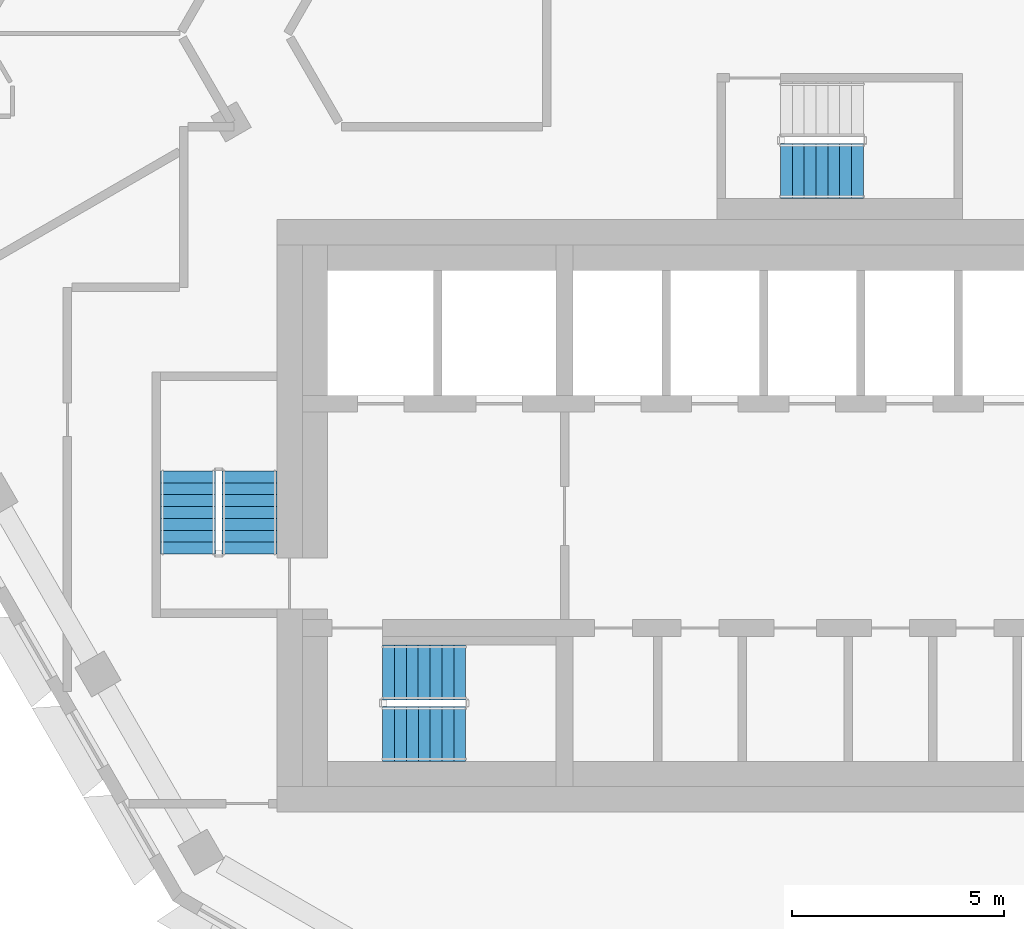
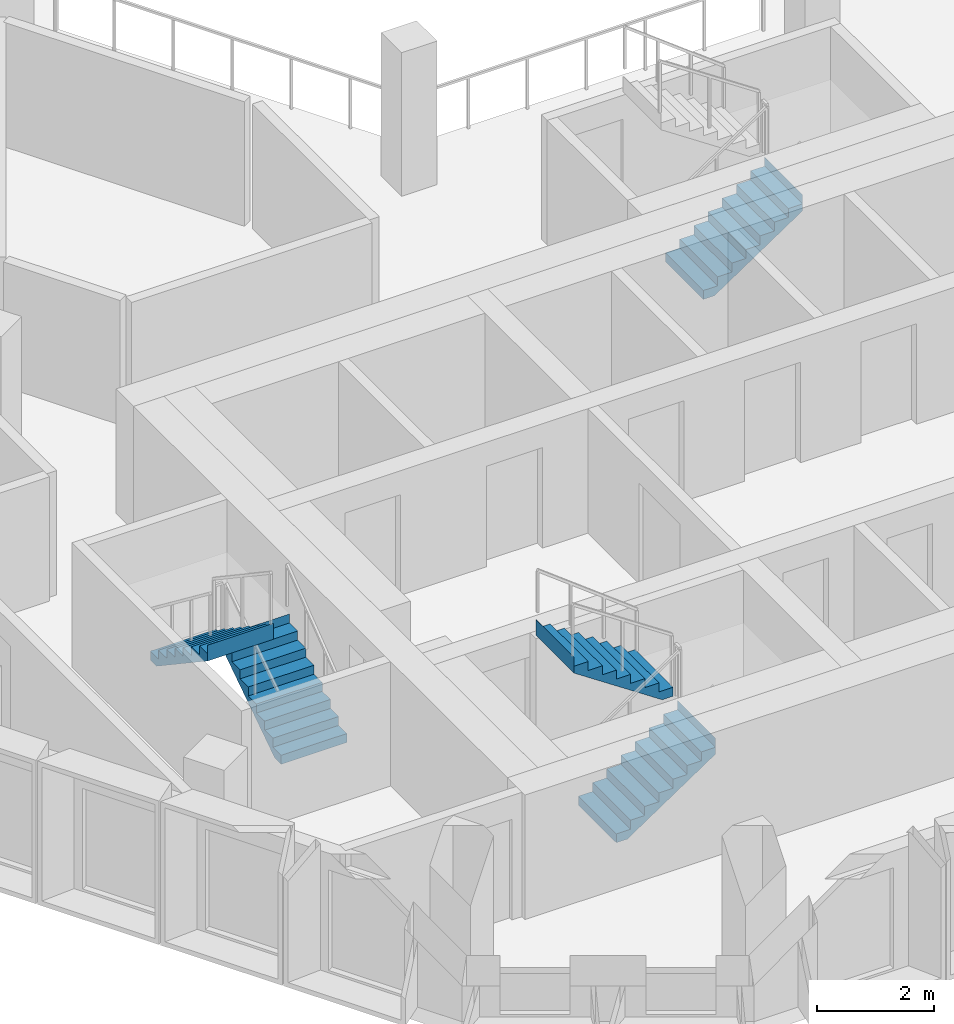
# One storey, part 12 of 18: 5 stair flights, 3 elements without a shape of their own.
"""IFC4 building model written with IfcOpenShell, lengths in metres."""

from ifc_helpers import new_model, si_unit, direction, frame, origin, place, context, subcontext, project, spatial, triangles, material, type_object, element, aggregate, save


model = new_model("IFC4")

# Units and contexts
model_context = context("Model", 3, precision=1e-05, world=origin(), true_north=direction((0.0, 1.0)))
body_context = subcontext(model_context, "Body", "Model", "MODEL_VIEW")
ifc_project = project(units=[si_unit("LENGTHUNIT", "METRE"), si_unit("AREAUNIT", "SQUARE_METRE"), si_unit("VOLUMEUNIT", "CUBIC_METRE"), si_unit("PLANEANGLEUNIT", "RADIAN"), si_unit("MASSUNIT", "GRAM", prefix="KILO")], contexts=[model_context])

# Site, building, storey
site_placement = place(None, origin())
site = spatial("IfcSite", under=ifc_project, at=site_placement, CompositionType="ELEMENT")
building_placement = place(site_placement, origin())
building = spatial("IfcBuilding", under=site, at=building_placement, Name="Beryl Residences", CompositionType="ELEMENT")
storey_placement = place(building_placement, frame((0.0, 0.0, 196.199951171875)))
storey = spatial("IfcBuildingStorey", under=building, at=storey_placement, Name="L60", CompositionType="ELEMENT", Elevation=196.199951171875)

# Stair, stair flights
ifc_material_1 = material(Name="Concrete C40/50", Category="concrete")
stair_type = type_object("IfcStairType", Name="ST1 protected exit stair, half-turn, 1300 mm flights", PredefinedType="HALF_TURN_STAIR", material=ifc_material_1)
stair_1_placement = place(storey_placement, origin())
stair_1 = element("IfcStair", 1, at=stair_1_placement, inside=storey, type_object=stair_type, Name="L60 PROTECTED EXIT STAIR ST-1", PredefinedType="HALF_TURN_STAIR")
ifc_material_2 = material(Name="Concrete C40/50", Category="concrete")
stair_flight_type = type_object("IfcStairFlightType", Name="SF1 stair flight 1300 mm", PredefinedType="STRAIGHT", material=ifc_material_2)
stair_flight_1_placement = place(storey_placement, frame((-10.800048828125, -17.14990234375, 0.0), z_axis=(0.0, 0.0, 1.0), x_axis=(1.0, 0.0, 0.0)))
stair_flight_1 = element("IfcStairFlight", 2, at=stair_flight_1_placement, type_object=stair_flight_type, Name="ST-1 flight 1", NumberOfRisers=8, NumberOfTreads=7, PredefinedType="STRAIGHT", RiserHeight=0.1875, TreadLength=0.28, context=body_context, shape_type="Tessellation", body=[
    triangles([(0.0, -0.64990234375, 0.0), (0.0, -0.324951171875, 0.0), (0.0, 0.0, 0.0), (0.0, 0.324951171875, 0.0), (0.0, 0.64990234375, 0.0), (0.0, -0.64990234375, 0.1875), (0.0, -0.324951171875, 0.1875), (0.0, 0.0, 0.1875), (0.0, 0.324951171875, 0.1875), (0.0, 0.64990234375, 0.1875), (0.280029296875, -0.64990234375, 0.1875), (0.280029296875, -0.324951171875, 0.1875), (0.280029296875, 0.0, 0.1875), (0.280029296875, 0.324951171875, 0.1875), (0.280029296875, 0.64990234375, 0.1875), (0.280029296875, -0.64990234375, 0.375), (0.280029296875, -0.324951171875, 0.375), (0.280029296875, 0.0, 0.375), (0.280029296875, 0.324951171875, 0.375), (0.280029296875, 0.64990234375, 0.375), (0.56005859375, -0.64990234375, 0.375), (0.56005859375, -0.324951171875, 0.375), (0.56005859375, 0.0, 0.375), (0.56005859375, 0.324951171875, 0.375), (0.56005859375, 0.64990234375, 0.375), (0.56005859375, -0.64990234375, 0.5625), (0.56005859375, -0.324951171875, 0.5625), (0.56005859375, 0.0, 0.5625), (0.56005859375, 0.324951171875, 0.5625), (0.56005859375, 0.64990234375, 0.5625), (0.840087890625, -0.64990234375, 0.5625), (0.840087890625, -0.324951171875, 0.5625), (0.840087890625, 0.0, 0.5625), (0.840087890625, 0.324951171875, 0.5625), (0.840087890625, 0.64990234375, 0.5625), (0.840087890625, -0.64990234375, 0.75), (0.840087890625, -0.324951171875, 0.75), (0.840087890625, 0.0, 0.75), (0.840087890625, 0.324951171875, 0.75), (0.840087890625, 0.64990234375, 0.75), (1.1201171875, -0.64990234375, 0.75), (1.1201171875, -0.324951171875, 0.75), (1.1201171875, 0.0, 0.75), (1.1201171875, 0.324951171875, 0.75), (1.1201171875, 0.64990234375, 0.75), (1.1201171875, -0.64990234375, 0.9375), (1.1201171875, -0.324951171875, 0.9375), (1.1201171875, 0.0, 0.9375), (1.1201171875, 0.324951171875, 0.9375), (1.1201171875, 0.64990234375, 0.9375), (1.39990234375, -0.64990234375, 0.9375), (1.39990234375, -0.324951171875, 0.9375), (1.39990234375, 0.0, 0.9375), (1.39990234375, 0.324951171875, 0.9375), (1.39990234375, 0.64990234375, 0.9375), (1.39990234375, -0.64990234375, 1.125), (1.39990234375, -0.324951171875, 1.125), (1.39990234375, 0.0, 1.125), (1.39990234375, 0.324951171875, 1.125), (1.39990234375, 0.64990234375, 1.125), (1.679931640625, -0.64990234375, 1.125), (1.679931640625, -0.324951171875, 1.125), (1.679931640625, 0.0, 1.125), (1.679931640625, 0.324951171875, 1.125), (1.679931640625, 0.64990234375, 1.125), (1.679931640625, -0.64990234375, 1.3125), (1.679931640625, -0.324951171875, 1.3125), (1.679931640625, 0.0, 1.3125), (1.679931640625, 0.324951171875, 1.3125), (1.679931640625, 0.64990234375, 1.3125), (1.9599609375, -0.64990234375, 1.3125), (1.9599609375, -0.324951171875, 1.3125), (1.9599609375, 0.0, 1.3125), (1.9599609375, 0.324951171875, 1.3125), (1.9599609375, 0.64990234375, 1.3125), (1.9599609375, -0.64990234375, 1.5), (1.9599609375, -0.324951171875, 1.5), (1.9599609375, 0.0, 1.5), (1.9599609375, 0.324951171875, 1.5), (1.9599609375, 0.64990234375, 1.5), (1.9609375, -0.64990234375, 1.5), (1.9609375, -0.324951171875, 1.5), (1.9609375, 0.0, 1.5), (1.9609375, 0.324951171875, 1.5), (1.9609375, 0.64990234375, 1.5), (1.9609375, -0.64990234375, 1.16796875), (1.9609375, -0.324951171875, 1.16796875), (1.9609375, 0.0, 1.16796875), (1.9609375, 0.324951171875, 1.16796875), (1.9609375, 0.64990234375, 1.16796875), (0.216796875, -0.64990234375, 0.0), (0.216796875, -0.324951171875, 0.0), (0.216796875, 0.0, 0.0), (0.216796875, 0.324951171875, 0.0), (0.216796875, 0.64990234375, 0.0)], [[1, 6, 7], [1, 7, 2], [2, 7, 8], [2, 8, 3], [3, 8, 9], [3, 9, 4], [4, 9, 10], [4, 10, 5], [6, 11, 12], [6, 12, 7], [7, 12, 13], [7, 13, 8], [8, 13, 14], [8, 14, 9], [9, 14, 15], [9, 15, 10], [11, 16, 17], [11, 17, 12], [12, 17, 18], [12, 18, 13], [13, 18, 19], [13, 19, 14], [14, 19, 20], [14, 20, 15], [16, 21, 22], [16, 22, 17], [17, 22, 23], [17, 23, 18], [18, 23, 24], [18, 24, 19], [19, 24, 25], [19, 25, 20], [21, 26, 27], [21, 27, 22], [22, 27, 28], [22, 28, 23], [23, 28, 29], [23, 29, 24], [24, 29, 30], [24, 30, 25], [26, 31, 32], [26, 32, 27], [27, 32, 33], [27, 33, 28], [28, 33, 34], [28, 34, 29], [29, 34, 35], [29, 35, 30], [31, 36, 37], [31, 37, 32], [32, 37, 38], [32, 38, 33], [33, 38, 39], [33, 39, 34], [34, 39, 40], [34, 40, 35], [36, 41, 42], [36, 42, 37], [37, 42, 43], [37, 43, 38], [38, 43, 44], [38, 44, 39], [39, 44, 45], [39, 45, 40], [41, 46, 47], [41, 47, 42], [42, 47, 48], [42, 48, 43], [43, 48, 49], [43, 49, 44], [44, 49, 50], [44, 50, 45], [46, 51, 52], [46, 52, 47], [47, 52, 53], [47, 53, 48], [48, 53, 54], [48, 54, 49], [49, 54, 55], [49, 55, 50], [51, 56, 57], [51, 57, 52], [52, 57, 58], [52, 58, 53], [53, 58, 59], [53, 59, 54], [54, 59, 60], [54, 60, 55], [56, 61, 62], [56, 62, 57], [57, 62, 63], [57, 63, 58], [58, 63, 64], [58, 64, 59], [59, 64, 65], [59, 65, 60], [61, 66, 67], [61, 67, 62], [62, 67, 68], [62, 68, 63], [63, 68, 69], [63, 69, 64], [64, 69, 70], [64, 70, 65], [66, 71, 72], [66, 72, 67], [67, 72, 73], [67, 73, 68], [68, 73, 74], [68, 74, 69], [69, 74, 75], [69, 75, 70], [71, 76, 77], [71, 77, 72], [72, 77, 78], [72, 78, 73], [73, 78, 79], [73, 79, 74], [74, 79, 80], [74, 80, 75], [76, 81, 82], [76, 82, 77], [77, 82, 83], [77, 83, 78], [78, 83, 84], [78, 84, 79], [79, 84, 85], [79, 85, 80], [81, 86, 87], [81, 87, 82], [82, 87, 88], [82, 88, 83], [83, 88, 89], [83, 89, 84], [84, 89, 90], [84, 90, 85], [86, 91, 92], [86, 92, 87], [87, 92, 93], [87, 93, 88], [88, 93, 94], [88, 94, 89], [89, 94, 95], [89, 95, 90], [91, 1, 2], [91, 2, 92], [92, 2, 3], [92, 3, 93], [93, 3, 4], [93, 4, 94], [94, 4, 5], [94, 5, 95], [1, 91, 86], [5, 90, 95], [86, 81, 76], [90, 80, 85], [86, 76, 71], [90, 75, 80], [86, 71, 66], [90, 70, 75], [86, 66, 61], [90, 65, 70], [61, 56, 51], [65, 55, 60], [86, 61, 51], [90, 55, 65], [51, 46, 41], [55, 45, 50], [86, 51, 41], [90, 45, 55], [41, 36, 31], [45, 35, 40], [86, 41, 31], [90, 35, 45], [31, 26, 21], [35, 25, 30], [86, 31, 21], [90, 25, 35], [21, 16, 11], [25, 15, 20], [86, 21, 11], [90, 15, 25], [1, 86, 11], [5, 15, 90], [11, 6, 1], [15, 5, 10]], closed=True),
])
stair_flight_2_placement = place(storey_placement, frame((-8.840087890625, -15.699951171875, 1.5), z_axis=(0.0, 0.0, 1.0), x_axis=(-1.0, 0.0, 0.0)))
stair_flight_2 = element("IfcStairFlight", 3, at=stair_flight_2_placement, type_object=stair_flight_type, Name="ST-1 flight 2", NumberOfRisers=8, NumberOfTreads=7, PredefinedType="STRAIGHT", RiserHeight=0.1875, TreadLength=0.28, context=body_context, shape_type="Tessellation", body=[
    triangles([(0.0, -0.64990234375, 0.0), (0.0, -0.324951171875, 0.0), (0.0, 0.0, 0.0), (0.0, 0.324951171875, 0.0), (0.0, 0.64990234375, 0.0), (0.0, -0.64990234375, 0.1875), (0.0, -0.324951171875, 0.1875), (0.0, 0.0, 0.1875), (0.0, 0.324951171875, 0.1875), (0.0, 0.64990234375, 0.1875), (0.280029296875, -0.64990234375, 0.1875), (0.280029296875, -0.324951171875, 0.1875), (0.280029296875, 0.0, 0.1875), (0.280029296875, 0.324951171875, 0.1875), (0.280029296875, 0.64990234375, 0.1875), (0.280029296875, -0.64990234375, 0.375), (0.280029296875, -0.324951171875, 0.375), (0.280029296875, 0.0, 0.375), (0.280029296875, 0.324951171875, 0.375), (0.280029296875, 0.64990234375, 0.375), (0.56005859375, -0.64990234375, 0.375), (0.56005859375, -0.324951171875, 0.375), (0.56005859375, 0.0, 0.375), (0.56005859375, 0.324951171875, 0.375), (0.56005859375, 0.64990234375, 0.375), (0.56005859375, -0.64990234375, 0.5625), (0.56005859375, -0.324951171875, 0.5625), (0.56005859375, 0.0, 0.5625), (0.56005859375, 0.324951171875, 0.5625), (0.56005859375, 0.64990234375, 0.5625), (0.840087890625, -0.64990234375, 0.5625), (0.840087890625, -0.324951171875, 0.5625), (0.840087890625, 0.0, 0.5625), (0.840087890625, 0.324951171875, 0.5625), (0.840087890625, 0.64990234375, 0.5625), (0.840087890625, -0.64990234375, 0.75), (0.840087890625, -0.324951171875, 0.75), (0.840087890625, 0.0, 0.75), (0.840087890625, 0.324951171875, 0.75), (0.840087890625, 0.64990234375, 0.75), (1.1201171875, -0.64990234375, 0.75), (1.1201171875, -0.324951171875, 0.75), (1.1201171875, 0.0, 0.75), (1.1201171875, 0.324951171875, 0.75), (1.1201171875, 0.64990234375, 0.75), (1.1201171875, -0.64990234375, 0.9375), (1.1201171875, -0.324951171875, 0.9375), (1.1201171875, 0.0, 0.9375), (1.1201171875, 0.324951171875, 0.9375), (1.1201171875, 0.64990234375, 0.9375), (1.39990234375, -0.64990234375, 0.9375), (1.39990234375, -0.324951171875, 0.9375), (1.39990234375, 0.0, 0.9375), (1.39990234375, 0.324951171875, 0.9375), (1.39990234375, 0.64990234375, 0.9375), (1.39990234375, -0.64990234375, 1.125), (1.39990234375, -0.324951171875, 1.125), (1.39990234375, 0.0, 1.125), (1.39990234375, 0.324951171875, 1.125), (1.39990234375, 0.64990234375, 1.125), (1.679931640625, -0.64990234375, 1.125), (1.679931640625, -0.324951171875, 1.125), (1.679931640625, 0.0, 1.125), (1.679931640625, 0.324951171875, 1.125), (1.679931640625, 0.64990234375, 1.125), (1.679931640625, -0.64990234375, 1.3125), (1.679931640625, -0.324951171875, 1.3125), (1.679931640625, 0.0, 1.3125), (1.679931640625, 0.324951171875, 1.3125), (1.679931640625, 0.64990234375, 1.3125), (1.9599609375, -0.64990234375, 1.3125), (1.9599609375, -0.324951171875, 1.3125), (1.9599609375, 0.0, 1.3125), (1.9599609375, 0.324951171875, 1.3125), (1.9599609375, 0.64990234375, 1.3125), (1.9599609375, -0.64990234375, 1.5), (1.9599609375, -0.324951171875, 1.5), (1.9599609375, 0.0, 1.5), (1.9599609375, 0.324951171875, 1.5), (1.9599609375, 0.64990234375, 1.5), (1.9609375, -0.64990234375, 1.5), (1.9609375, -0.324951171875, 1.5), (1.9609375, 0.0, 1.5), (1.9609375, 0.324951171875, 1.5), (1.9609375, 0.64990234375, 1.5), (1.9609375, -0.64990234375, 1.16796875), (1.9609375, -0.324951171875, 1.16796875), (1.9609375, 0.0, 1.16796875), (1.9609375, 0.324951171875, 1.16796875), (1.9609375, 0.64990234375, 1.16796875), (0.216796875, -0.64990234375, 0.0), (0.216796875, -0.324951171875, 0.0), (0.216796875, 0.0, 0.0), (0.216796875, 0.324951171875, 0.0), (0.216796875, 0.64990234375, 0.0)], [[1, 6, 7], [1, 7, 2], [2, 7, 8], [2, 8, 3], [3, 8, 9], [3, 9, 4], [4, 9, 10], [4, 10, 5], [6, 11, 12], [6, 12, 7], [7, 12, 13], [7, 13, 8], [8, 13, 14], [8, 14, 9], [9, 14, 15], [9, 15, 10], [11, 16, 17], [11, 17, 12], [12, 17, 18], [12, 18, 13], [13, 18, 19], [13, 19, 14], [14, 19, 20], [14, 20, 15], [16, 21, 22], [16, 22, 17], [17, 22, 23], [17, 23, 18], [18, 23, 24], [18, 24, 19], [19, 24, 25], [19, 25, 20], [21, 26, 27], [21, 27, 22], [22, 27, 28], [22, 28, 23], [23, 28, 29], [23, 29, 24], [24, 29, 30], [24, 30, 25], [26, 31, 32], [26, 32, 27], [27, 32, 33], [27, 33, 28], [28, 33, 34], [28, 34, 29], [29, 34, 35], [29, 35, 30], [31, 36, 37], [31, 37, 32], [32, 37, 38], [32, 38, 33], [33, 38, 39], [33, 39, 34], [34, 39, 40], [34, 40, 35], [36, 41, 42], [36, 42, 37], [37, 42, 43], [37, 43, 38], [38, 43, 44], [38, 44, 39], [39, 44, 45], [39, 45, 40], [41, 46, 47], [41, 47, 42], [42, 47, 48], [42, 48, 43], [43, 48, 49], [43, 49, 44], [44, 49, 50], [44, 50, 45], [46, 51, 52], [46, 52, 47], [47, 52, 53], [47, 53, 48], [48, 53, 54], [48, 54, 49], [49, 54, 55], [49, 55, 50], [51, 56, 57], [51, 57, 52], [52, 57, 58], [52, 58, 53], [53, 58, 59], [53, 59, 54], [54, 59, 60], [54, 60, 55], [56, 61, 62], [56, 62, 57], [57, 62, 63], [57, 63, 58], [58, 63, 64], [58, 64, 59], [59, 64, 65], [59, 65, 60], [61, 66, 67], [61, 67, 62], [62, 67, 68], [62, 68, 63], [63, 68, 69], [63, 69, 64], [64, 69, 70], [64, 70, 65], [66, 71, 72], [66, 72, 67], [67, 72, 73], [67, 73, 68], [68, 73, 74], [68, 74, 69], [69, 74, 75], [69, 75, 70], [71, 76, 77], [71, 77, 72], [72, 77, 78], [72, 78, 73], [73, 78, 79], [73, 79, 74], [74, 79, 80], [74, 80, 75], [76, 81, 82], [76, 82, 77], [77, 82, 83], [77, 83, 78], [78, 83, 84], [78, 84, 79], [79, 84, 85], [79, 85, 80], [81, 86, 87], [81, 87, 82], [82, 87, 88], [82, 88, 83], [83, 88, 89], [83, 89, 84], [84, 89, 90], [84, 90, 85], [86, 91, 92], [86, 92, 87], [87, 92, 93], [87, 93, 88], [88, 93, 94], [88, 94, 89], [89, 94, 95], [89, 95, 90], [91, 1, 2], [91, 2, 92], [92, 2, 3], [92, 3, 93], [93, 3, 4], [93, 4, 94], [94, 4, 5], [94, 5, 95], [1, 91, 86], [5, 90, 95], [86, 81, 76], [90, 80, 85], [86, 76, 71], [90, 75, 80], [86, 71, 66], [90, 70, 75], [86, 66, 61], [90, 65, 70], [61, 56, 51], [65, 55, 60], [86, 61, 51], [90, 55, 65], [51, 46, 41], [55, 45, 50], [86, 51, 41], [90, 45, 55], [41, 36, 31], [45, 35, 40], [86, 41, 31], [90, 35, 45], [31, 26, 21], [35, 25, 30], [86, 31, 21], [90, 25, 35], [21, 16, 11], [25, 15, 20], [86, 21, 11], [90, 15, 25], [1, 86, 11], [5, 15, 90], [11, 6, 1], [15, 5, 10]], closed=True),
])
aggregate(stair_1, [stair_flight_1, stair_flight_2])

stair_2_placement = place(storey_placement, origin())
stair_2 = element("IfcStair", 4, at=stair_2_placement, inside=storey, type_object=stair_type, Name="L60 PROTECTED EXIT STAIR ST-2", PredefinedType="HALF_TURN_STAIR")
stair_flight_3_placement = place(storey_placement, frame((-13.949951171875, -12.89990234375, 0.0), z_axis=(0.0, 0.0, 1.0), x_axis=(0.0, 1.0, 0.0)))
stair_flight_3 = element("IfcStairFlight", 5, at=stair_flight_3_placement, type_object=stair_flight_type, Name="ST-2 flight 1", NumberOfRisers=8, NumberOfTreads=7, PredefinedType="STRAIGHT", RiserHeight=0.1875, TreadLength=0.28, context=body_context, shape_type="Tessellation", body=[
    triangles([(0.0, -0.64990234375, 0.0), (0.0, -0.324951171875, 0.0), (0.0, 0.0, 0.0), (0.0, 0.324951171875, 0.0), (0.0, 0.64990234375, 0.0), (0.0, -0.64990234375, 0.1875), (0.0, -0.324951171875, 0.1875), (0.0, 0.0, 0.1875), (0.0, 0.324951171875, 0.1875), (0.0, 0.64990234375, 0.1875), (0.280029296875, -0.64990234375, 0.1875), (0.280029296875, -0.324951171875, 0.1875), (0.280029296875, 0.0, 0.1875), (0.280029296875, 0.324951171875, 0.1875), (0.280029296875, 0.64990234375, 0.1875), (0.280029296875, -0.64990234375, 0.375), (0.280029296875, -0.324951171875, 0.375), (0.280029296875, 0.0, 0.375), (0.280029296875, 0.324951171875, 0.375), (0.280029296875, 0.64990234375, 0.375), (0.56005859375, -0.64990234375, 0.375), (0.56005859375, -0.324951171875, 0.375), (0.56005859375, 0.0, 0.375), (0.56005859375, 0.324951171875, 0.375), (0.56005859375, 0.64990234375, 0.375), (0.56005859375, -0.64990234375, 0.5625), (0.56005859375, -0.324951171875, 0.5625), (0.56005859375, 0.0, 0.5625), (0.56005859375, 0.324951171875, 0.5625), (0.56005859375, 0.64990234375, 0.5625), (0.840087890625, -0.64990234375, 0.5625), (0.840087890625, -0.324951171875, 0.5625), (0.840087890625, 0.0, 0.5625), (0.840087890625, 0.324951171875, 0.5625), (0.840087890625, 0.64990234375, 0.5625), (0.840087890625, -0.64990234375, 0.75), (0.840087890625, -0.324951171875, 0.75), (0.840087890625, 0.0, 0.75), (0.840087890625, 0.324951171875, 0.75), (0.840087890625, 0.64990234375, 0.75), (1.1201171875, -0.64990234375, 0.75), (1.1201171875, -0.324951171875, 0.75), (1.1201171875, 0.0, 0.75), (1.1201171875, 0.324951171875, 0.75), (1.1201171875, 0.64990234375, 0.75), (1.1201171875, -0.64990234375, 0.9375), (1.1201171875, -0.324951171875, 0.9375), (1.1201171875, 0.0, 0.9375), (1.1201171875, 0.324951171875, 0.9375), (1.1201171875, 0.64990234375, 0.9375), (1.39990234375, -0.64990234375, 0.9375), (1.39990234375, -0.324951171875, 0.9375), (1.39990234375, 0.0, 0.9375), (1.39990234375, 0.324951171875, 0.9375), (1.39990234375, 0.64990234375, 0.9375), (1.39990234375, -0.64990234375, 1.125), (1.39990234375, -0.324951171875, 1.125), (1.39990234375, 0.0, 1.125), (1.39990234375, 0.324951171875, 1.125), (1.39990234375, 0.64990234375, 1.125), (1.679931640625, -0.64990234375, 1.125), (1.679931640625, -0.324951171875, 1.125), (1.679931640625, 0.0, 1.125), (1.679931640625, 0.324951171875, 1.125), (1.679931640625, 0.64990234375, 1.125), (1.679931640625, -0.64990234375, 1.3125), (1.679931640625, -0.324951171875, 1.3125), (1.679931640625, 0.0, 1.3125), (1.679931640625, 0.324951171875, 1.3125), (1.679931640625, 0.64990234375, 1.3125), (1.9599609375, -0.64990234375, 1.3125), (1.9599609375, -0.324951171875, 1.3125), (1.9599609375, 0.0, 1.3125), (1.9599609375, 0.324951171875, 1.3125), (1.9599609375, 0.64990234375, 1.3125), (1.9599609375, -0.64990234375, 1.5), (1.9599609375, -0.324951171875, 1.5), (1.9599609375, 0.0, 1.5), (1.9599609375, 0.324951171875, 1.5), (1.9599609375, 0.64990234375, 1.5), (1.9609375, -0.64990234375, 1.5), (1.9609375, -0.324951171875, 1.5), (1.9609375, 0.0, 1.5), (1.9609375, 0.324951171875, 1.5), (1.9609375, 0.64990234375, 1.5), (1.9609375, -0.64990234375, 1.16796875), (1.9609375, -0.324951171875, 1.16796875), (1.9609375, 0.0, 1.16796875), (1.9609375, 0.324951171875, 1.16796875), (1.9609375, 0.64990234375, 1.16796875), (0.216796875, -0.64990234375, 0.0), (0.216796875, -0.324951171875, 0.0), (0.216796875, 0.0, 0.0), (0.216796875, 0.324951171875, 0.0), (0.216796875, 0.64990234375, 0.0)], [[1, 6, 7], [1, 7, 2], [2, 7, 8], [2, 8, 3], [3, 8, 9], [3, 9, 4], [4, 9, 10], [4, 10, 5], [6, 11, 12], [6, 12, 7], [7, 12, 13], [7, 13, 8], [8, 13, 14], [8, 14, 9], [9, 14, 15], [9, 15, 10], [11, 16, 17], [11, 17, 12], [12, 17, 18], [12, 18, 13], [13, 18, 19], [13, 19, 14], [14, 19, 20], [14, 20, 15], [16, 21, 22], [16, 22, 17], [17, 22, 23], [17, 23, 18], [18, 23, 24], [18, 24, 19], [19, 24, 25], [19, 25, 20], [21, 26, 27], [21, 27, 22], [22, 27, 28], [22, 28, 23], [23, 28, 29], [23, 29, 24], [24, 29, 30], [24, 30, 25], [26, 31, 32], [26, 32, 27], [27, 32, 33], [27, 33, 28], [28, 33, 34], [28, 34, 29], [29, 34, 35], [29, 35, 30], [31, 36, 37], [31, 37, 32], [32, 37, 38], [32, 38, 33], [33, 38, 39], [33, 39, 34], [34, 39, 40], [34, 40, 35], [36, 41, 42], [36, 42, 37], [37, 42, 43], [37, 43, 38], [38, 43, 44], [38, 44, 39], [39, 44, 45], [39, 45, 40], [41, 46, 47], [41, 47, 42], [42, 47, 48], [42, 48, 43], [43, 48, 49], [43, 49, 44], [44, 49, 50], [44, 50, 45], [46, 51, 52], [46, 52, 47], [47, 52, 53], [47, 53, 48], [48, 53, 54], [48, 54, 49], [49, 54, 55], [49, 55, 50], [51, 56, 57], [51, 57, 52], [52, 57, 58], [52, 58, 53], [53, 58, 59], [53, 59, 54], [54, 59, 60], [54, 60, 55], [56, 61, 62], [56, 62, 57], [57, 62, 63], [57, 63, 58], [58, 63, 64], [58, 64, 59], [59, 64, 65], [59, 65, 60], [61, 66, 67], [61, 67, 62], [62, 67, 68], [62, 68, 63], [63, 68, 69], [63, 69, 64], [64, 69, 70], [64, 70, 65], [66, 71, 72], [66, 72, 67], [67, 72, 73], [67, 73, 68], [68, 73, 74], [68, 74, 69], [69, 74, 75], [69, 75, 70], [71, 76, 77], [71, 77, 72], [72, 77, 78], [72, 78, 73], [73, 78, 79], [73, 79, 74], [74, 79, 80], [74, 80, 75], [76, 81, 82], [76, 82, 77], [77, 82, 83], [77, 83, 78], [78, 83, 84], [78, 84, 79], [79, 84, 85], [79, 85, 80], [81, 86, 87], [81, 87, 82], [82, 87, 88], [82, 88, 83], [83, 88, 89], [83, 89, 84], [84, 89, 90], [84, 90, 85], [86, 91, 92], [86, 92, 87], [87, 92, 93], [87, 93, 88], [88, 93, 94], [88, 94, 89], [89, 94, 95], [89, 95, 90], [91, 1, 2], [91, 2, 92], [92, 2, 3], [92, 3, 93], [93, 3, 4], [93, 4, 94], [94, 4, 5], [94, 5, 95], [1, 91, 86], [5, 90, 95], [86, 81, 76], [90, 80, 85], [86, 76, 71], [90, 75, 80], [86, 71, 66], [90, 70, 75], [86, 66, 61], [90, 65, 70], [61, 56, 51], [65, 55, 60], [86, 61, 51], [90, 55, 65], [51, 46, 41], [55, 45, 50], [86, 51, 41], [90, 45, 55], [41, 36, 31], [45, 35, 40], [86, 41, 31], [90, 35, 45], [31, 26, 21], [35, 25, 30], [86, 31, 21], [90, 25, 35], [21, 16, 11], [25, 15, 20], [86, 21, 11], [90, 15, 25], [1, 86, 11], [5, 15, 90], [11, 6, 1], [15, 5, 10]], closed=True),
])
stair_flight_4_placement = place(storey_placement, frame((-15.39990234375, -10.93994140625, 1.5), z_axis=(0.0, 0.0, 1.0), x_axis=(0.0, -1.0, 0.0)))
stair_flight_4 = element("IfcStairFlight", 6, at=stair_flight_4_placement, type_object=stair_flight_type, Name="ST-2 flight 2", NumberOfRisers=8, NumberOfTreads=7, PredefinedType="STRAIGHT", RiserHeight=0.1875, TreadLength=0.28, context=body_context, shape_type="Tessellation", body=[
    triangles([(0.0, -0.64990234375, 0.0), (0.0, -0.324951171875, 0.0), (0.0, 0.0, 0.0), (0.0, 0.324951171875, 0.0), (0.0, 0.64990234375, 0.0), (0.0, -0.64990234375, 0.1875), (0.0, -0.324951171875, 0.1875), (0.0, 0.0, 0.1875), (0.0, 0.324951171875, 0.1875), (0.0, 0.64990234375, 0.1875), (0.280029296875, -0.64990234375, 0.1875), (0.280029296875, -0.324951171875, 0.1875), (0.280029296875, 0.0, 0.1875), (0.280029296875, 0.324951171875, 0.1875), (0.280029296875, 0.64990234375, 0.1875), (0.280029296875, -0.64990234375, 0.375), (0.280029296875, -0.324951171875, 0.375), (0.280029296875, 0.0, 0.375), (0.280029296875, 0.324951171875, 0.375), (0.280029296875, 0.64990234375, 0.375), (0.56005859375, -0.64990234375, 0.375), (0.56005859375, -0.324951171875, 0.375), (0.56005859375, 0.0, 0.375), (0.56005859375, 0.324951171875, 0.375), (0.56005859375, 0.64990234375, 0.375), (0.56005859375, -0.64990234375, 0.5625), (0.56005859375, -0.324951171875, 0.5625), (0.56005859375, 0.0, 0.5625), (0.56005859375, 0.324951171875, 0.5625), (0.56005859375, 0.64990234375, 0.5625), (0.840087890625, -0.64990234375, 0.5625), (0.840087890625, -0.324951171875, 0.5625), (0.840087890625, 0.0, 0.5625), (0.840087890625, 0.324951171875, 0.5625), (0.840087890625, 0.64990234375, 0.5625), (0.840087890625, -0.64990234375, 0.75), (0.840087890625, -0.324951171875, 0.75), (0.840087890625, 0.0, 0.75), (0.840087890625, 0.324951171875, 0.75), (0.840087890625, 0.64990234375, 0.75), (1.1201171875, -0.64990234375, 0.75), (1.1201171875, -0.324951171875, 0.75), (1.1201171875, 0.0, 0.75), (1.1201171875, 0.324951171875, 0.75), (1.1201171875, 0.64990234375, 0.75), (1.1201171875, -0.64990234375, 0.9375), (1.1201171875, -0.324951171875, 0.9375), (1.1201171875, 0.0, 0.9375), (1.1201171875, 0.324951171875, 0.9375), (1.1201171875, 0.64990234375, 0.9375), (1.39990234375, -0.64990234375, 0.9375), (1.39990234375, -0.324951171875, 0.9375), (1.39990234375, 0.0, 0.9375), (1.39990234375, 0.324951171875, 0.9375), (1.39990234375, 0.64990234375, 0.9375), (1.39990234375, -0.64990234375, 1.125), (1.39990234375, -0.324951171875, 1.125), (1.39990234375, 0.0, 1.125), (1.39990234375, 0.324951171875, 1.125), (1.39990234375, 0.64990234375, 1.125), (1.679931640625, -0.64990234375, 1.125), (1.679931640625, -0.324951171875, 1.125), (1.679931640625, 0.0, 1.125), (1.679931640625, 0.324951171875, 1.125), (1.679931640625, 0.64990234375, 1.125), (1.679931640625, -0.64990234375, 1.3125), (1.679931640625, -0.324951171875, 1.3125), (1.679931640625, 0.0, 1.3125), (1.679931640625, 0.324951171875, 1.3125), (1.679931640625, 0.64990234375, 1.3125), (1.9599609375, -0.64990234375, 1.3125), (1.9599609375, -0.324951171875, 1.3125), (1.9599609375, 0.0, 1.3125), (1.9599609375, 0.324951171875, 1.3125), (1.9599609375, 0.64990234375, 1.3125), (1.9599609375, -0.64990234375, 1.5), (1.9599609375, -0.324951171875, 1.5), (1.9599609375, 0.0, 1.5), (1.9599609375, 0.324951171875, 1.5), (1.9599609375, 0.64990234375, 1.5), (1.9609375, -0.64990234375, 1.5), (1.9609375, -0.324951171875, 1.5), (1.9609375, 0.0, 1.5), (1.9609375, 0.324951171875, 1.5), (1.9609375, 0.64990234375, 1.5), (1.9609375, -0.64990234375, 1.16796875), (1.9609375, -0.324951171875, 1.16796875), (1.9609375, 0.0, 1.16796875), (1.9609375, 0.324951171875, 1.16796875), (1.9609375, 0.64990234375, 1.16796875), (0.216796875, -0.64990234375, 0.0), (0.216796875, -0.324951171875, 0.0), (0.216796875, 0.0, 0.0), (0.216796875, 0.324951171875, 0.0), (0.216796875, 0.64990234375, 0.0)], [[1, 6, 7], [1, 7, 2], [2, 7, 8], [2, 8, 3], [3, 8, 9], [3, 9, 4], [4, 9, 10], [4, 10, 5], [6, 11, 12], [6, 12, 7], [7, 12, 13], [7, 13, 8], [8, 13, 14], [8, 14, 9], [9, 14, 15], [9, 15, 10], [11, 16, 17], [11, 17, 12], [12, 17, 18], [12, 18, 13], [13, 18, 19], [13, 19, 14], [14, 19, 20], [14, 20, 15], [16, 21, 22], [16, 22, 17], [17, 22, 23], [17, 23, 18], [18, 23, 24], [18, 24, 19], [19, 24, 25], [19, 25, 20], [21, 26, 27], [21, 27, 22], [22, 27, 28], [22, 28, 23], [23, 28, 29], [23, 29, 24], [24, 29, 30], [24, 30, 25], [26, 31, 32], [26, 32, 27], [27, 32, 33], [27, 33, 28], [28, 33, 34], [28, 34, 29], [29, 34, 35], [29, 35, 30], [31, 36, 37], [31, 37, 32], [32, 37, 38], [32, 38, 33], [33, 38, 39], [33, 39, 34], [34, 39, 40], [34, 40, 35], [36, 41, 42], [36, 42, 37], [37, 42, 43], [37, 43, 38], [38, 43, 44], [38, 44, 39], [39, 44, 45], [39, 45, 40], [41, 46, 47], [41, 47, 42], [42, 47, 48], [42, 48, 43], [43, 48, 49], [43, 49, 44], [44, 49, 50], [44, 50, 45], [46, 51, 52], [46, 52, 47], [47, 52, 53], [47, 53, 48], [48, 53, 54], [48, 54, 49], [49, 54, 55], [49, 55, 50], [51, 56, 57], [51, 57, 52], [52, 57, 58], [52, 58, 53], [53, 58, 59], [53, 59, 54], [54, 59, 60], [54, 60, 55], [56, 61, 62], [56, 62, 57], [57, 62, 63], [57, 63, 58], [58, 63, 64], [58, 64, 59], [59, 64, 65], [59, 65, 60], [61, 66, 67], [61, 67, 62], [62, 67, 68], [62, 68, 63], [63, 68, 69], [63, 69, 64], [64, 69, 70], [64, 70, 65], [66, 71, 72], [66, 72, 67], [67, 72, 73], [67, 73, 68], [68, 73, 74], [68, 74, 69], [69, 74, 75], [69, 75, 70], [71, 76, 77], [71, 77, 72], [72, 77, 78], [72, 78, 73], [73, 78, 79], [73, 79, 74], [74, 79, 80], [74, 80, 75], [76, 81, 82], [76, 82, 77], [77, 82, 83], [77, 83, 78], [78, 83, 84], [78, 84, 79], [79, 84, 85], [79, 85, 80], [81, 86, 87], [81, 87, 82], [82, 87, 88], [82, 88, 83], [83, 88, 89], [83, 89, 84], [84, 89, 90], [84, 90, 85], [86, 91, 92], [86, 92, 87], [87, 92, 93], [87, 93, 88], [88, 93, 94], [88, 94, 89], [89, 94, 95], [89, 95, 90], [91, 1, 2], [91, 2, 92], [92, 2, 3], [92, 3, 93], [93, 3, 4], [93, 4, 94], [94, 4, 5], [94, 5, 95], [1, 91, 86], [5, 90, 95], [86, 81, 76], [90, 80, 85], [86, 76, 71], [90, 75, 80], [86, 71, 66], [90, 70, 75], [86, 66, 61], [90, 65, 70], [61, 56, 51], [65, 55, 60], [86, 61, 51], [90, 55, 65], [51, 46, 41], [55, 45, 50], [86, 51, 41], [90, 45, 55], [41, 36, 31], [45, 35, 40], [86, 41, 31], [90, 35, 45], [31, 26, 21], [35, 25, 30], [86, 31, 21], [90, 25, 35], [21, 16, 11], [25, 15, 20], [86, 21, 11], [90, 15, 25], [1, 86, 11], [5, 15, 90], [11, 6, 1], [15, 5, 10]], closed=True),
])
aggregate(stair_2, [stair_flight_3, stair_flight_4])

# Stair, stair flight
stair_3_placement = place(storey_placement, origin())
stair_3 = element("IfcStair", 7, at=stair_3_placement, inside=storey, type_object=stair_type, Name="L60 PROTECTED EXIT STAIR ST-4", PredefinedType="HALF_TURN_STAIR")
stair_flight_5_placement = place(storey_placement, frame((-1.39990234375, -3.85009765625, 0.0), z_axis=(0.0, 0.0, 1.0), x_axis=(1.0, 0.0, 0.0)))
stair_flight_5 = element("IfcStairFlight", 8, at=stair_flight_5_placement, type_object=stair_flight_type, Name="ST-4 flight 1", NumberOfRisers=8, NumberOfTreads=7, PredefinedType="STRAIGHT", RiserHeight=0.1875, TreadLength=0.28, context=body_context, shape_type="Tessellation", body=[
    triangles([(0.0, -0.64990234375, 0.0), (0.0, -0.324951171875, 0.0), (0.0, 0.0, 0.0), (0.0, 0.324951171875, 0.0), (0.0, 0.64990234375, 0.0), (0.0, -0.64990234375, 0.1875), (0.0, -0.324951171875, 0.1875), (0.0, 0.0, 0.1875), (0.0, 0.324951171875, 0.1875), (0.0, 0.64990234375, 0.1875), (0.280029296875, -0.64990234375, 0.1875), (0.280029296875, -0.324951171875, 0.1875), (0.280029296875, 0.0, 0.1875), (0.280029296875, 0.324951171875, 0.1875), (0.280029296875, 0.64990234375, 0.1875), (0.280029296875, -0.64990234375, 0.375), (0.280029296875, -0.324951171875, 0.375), (0.280029296875, 0.0, 0.375), (0.280029296875, 0.324951171875, 0.375), (0.280029296875, 0.64990234375, 0.375), (0.56005859375, -0.64990234375, 0.375), (0.56005859375, -0.324951171875, 0.375), (0.56005859375, 0.0, 0.375), (0.56005859375, 0.324951171875, 0.375), (0.56005859375, 0.64990234375, 0.375), (0.56005859375, -0.64990234375, 0.5625), (0.56005859375, -0.324951171875, 0.5625), (0.56005859375, 0.0, 0.5625), (0.56005859375, 0.324951171875, 0.5625), (0.56005859375, 0.64990234375, 0.5625), (0.840087890625, -0.64990234375, 0.5625), (0.840087890625, -0.324951171875, 0.5625), (0.840087890625, 0.0, 0.5625), (0.840087890625, 0.324951171875, 0.5625), (0.840087890625, 0.64990234375, 0.5625), (0.840087890625, -0.64990234375, 0.75), (0.840087890625, -0.324951171875, 0.75), (0.840087890625, 0.0, 0.75), (0.840087890625, 0.324951171875, 0.75), (0.840087890625, 0.64990234375, 0.75), (1.1201171875, -0.64990234375, 0.75), (1.1201171875, -0.324951171875, 0.75), (1.1201171875, 0.0, 0.75), (1.1201171875, 0.324951171875, 0.75), (1.1201171875, 0.64990234375, 0.75), (1.1201171875, -0.64990234375, 0.9375), (1.1201171875, -0.324951171875, 0.9375), (1.1201171875, 0.0, 0.9375), (1.1201171875, 0.324951171875, 0.9375), (1.1201171875, 0.64990234375, 0.9375), (1.39990234375, -0.64990234375, 0.9375), (1.39990234375, -0.324951171875, 0.9375), (1.39990234375, 0.0, 0.9375), (1.39990234375, 0.324951171875, 0.9375), (1.39990234375, 0.64990234375, 0.9375), (1.39990234375, -0.64990234375, 1.125), (1.39990234375, -0.324951171875, 1.125), (1.39990234375, 0.0, 1.125), (1.39990234375, 0.324951171875, 1.125), (1.39990234375, 0.64990234375, 1.125), (1.679931640625, -0.64990234375, 1.125), (1.679931640625, -0.324951171875, 1.125), (1.679931640625, 0.0, 1.125), (1.679931640625, 0.324951171875, 1.125), (1.679931640625, 0.64990234375, 1.125), (1.679931640625, -0.64990234375, 1.3125), (1.679931640625, -0.324951171875, 1.3125), (1.679931640625, 0.0, 1.3125), (1.679931640625, 0.324951171875, 1.3125), (1.679931640625, 0.64990234375, 1.3125), (1.9599609375, -0.64990234375, 1.3125), (1.9599609375, -0.324951171875, 1.3125), (1.9599609375, 0.0, 1.3125), (1.9599609375, 0.324951171875, 1.3125), (1.9599609375, 0.64990234375, 1.3125), (1.9599609375, -0.64990234375, 1.5), (1.9599609375, -0.324951171875, 1.5), (1.9599609375, 0.0, 1.5), (1.9599609375, 0.324951171875, 1.5), (1.9599609375, 0.64990234375, 1.5), (1.9609375, -0.64990234375, 1.5), (1.9609375, -0.324951171875, 1.5), (1.9609375, 0.0, 1.5), (1.9609375, 0.324951171875, 1.5), (1.9609375, 0.64990234375, 1.5), (1.9609375, -0.64990234375, 1.16796875), (1.9609375, -0.324951171875, 1.16796875), (1.9609375, 0.0, 1.16796875), (1.9609375, 0.324951171875, 1.16796875), (1.9609375, 0.64990234375, 1.16796875), (0.216796875, -0.64990234375, 0.0), (0.216796875, -0.324951171875, 0.0), (0.216796875, 0.0, 0.0), (0.216796875, 0.324951171875, 0.0), (0.216796875, 0.64990234375, 0.0)], [[1, 6, 7], [1, 7, 2], [2, 7, 8], [2, 8, 3], [3, 8, 9], [3, 9, 4], [4, 9, 10], [4, 10, 5], [6, 11, 12], [6, 12, 7], [7, 12, 13], [7, 13, 8], [8, 13, 14], [8, 14, 9], [9, 14, 15], [9, 15, 10], [11, 16, 17], [11, 17, 12], [12, 17, 18], [12, 18, 13], [13, 18, 19], [13, 19, 14], [14, 19, 20], [14, 20, 15], [16, 21, 22], [16, 22, 17], [17, 22, 23], [17, 23, 18], [18, 23, 24], [18, 24, 19], [19, 24, 25], [19, 25, 20], [21, 26, 27], [21, 27, 22], [22, 27, 28], [22, 28, 23], [23, 28, 29], [23, 29, 24], [24, 29, 30], [24, 30, 25], [26, 31, 32], [26, 32, 27], [27, 32, 33], [27, 33, 28], [28, 33, 34], [28, 34, 29], [29, 34, 35], [29, 35, 30], [31, 36, 37], [31, 37, 32], [32, 37, 38], [32, 38, 33], [33, 38, 39], [33, 39, 34], [34, 39, 40], [34, 40, 35], [36, 41, 42], [36, 42, 37], [37, 42, 43], [37, 43, 38], [38, 43, 44], [38, 44, 39], [39, 44, 45], [39, 45, 40], [41, 46, 47], [41, 47, 42], [42, 47, 48], [42, 48, 43], [43, 48, 49], [43, 49, 44], [44, 49, 50], [44, 50, 45], [46, 51, 52], [46, 52, 47], [47, 52, 53], [47, 53, 48], [48, 53, 54], [48, 54, 49], [49, 54, 55], [49, 55, 50], [51, 56, 57], [51, 57, 52], [52, 57, 58], [52, 58, 53], [53, 58, 59], [53, 59, 54], [54, 59, 60], [54, 60, 55], [56, 61, 62], [56, 62, 57], [57, 62, 63], [57, 63, 58], [58, 63, 64], [58, 64, 59], [59, 64, 65], [59, 65, 60], [61, 66, 67], [61, 67, 62], [62, 67, 68], [62, 68, 63], [63, 68, 69], [63, 69, 64], [64, 69, 70], [64, 70, 65], [66, 71, 72], [66, 72, 67], [67, 72, 73], [67, 73, 68], [68, 73, 74], [68, 74, 69], [69, 74, 75], [69, 75, 70], [71, 76, 77], [71, 77, 72], [72, 77, 78], [72, 78, 73], [73, 78, 79], [73, 79, 74], [74, 79, 80], [74, 80, 75], [76, 81, 82], [76, 82, 77], [77, 82, 83], [77, 83, 78], [78, 83, 84], [78, 84, 79], [79, 84, 85], [79, 85, 80], [81, 86, 87], [81, 87, 82], [82, 87, 88], [82, 88, 83], [83, 88, 89], [83, 89, 84], [84, 89, 90], [84, 90, 85], [86, 91, 92], [86, 92, 87], [87, 92, 93], [87, 93, 88], [88, 93, 94], [88, 94, 89], [89, 94, 95], [89, 95, 90], [91, 1, 2], [91, 2, 92], [92, 2, 3], [92, 3, 93], [93, 3, 4], [93, 4, 94], [94, 4, 5], [94, 5, 95], [1, 91, 86], [5, 90, 95], [86, 81, 76], [90, 80, 85], [86, 76, 71], [90, 75, 80], [86, 71, 66], [90, 70, 75], [86, 66, 61], [90, 65, 70], [61, 56, 51], [65, 55, 60], [86, 61, 51], [90, 55, 65], [51, 46, 41], [55, 45, 50], [86, 51, 41], [90, 45, 55], [41, 36, 31], [45, 35, 40], [86, 41, 31], [90, 35, 45], [31, 26, 21], [35, 25, 30], [86, 31, 21], [90, 25, 35], [21, 16, 11], [25, 15, 20], [86, 21, 11], [90, 15, 25], [1, 86, 11], [5, 15, 90], [11, 6, 1], [15, 5, 10]], closed=True),
])
aggregate(stair_3, [stair_flight_5])

save(model, "model.ifc")
